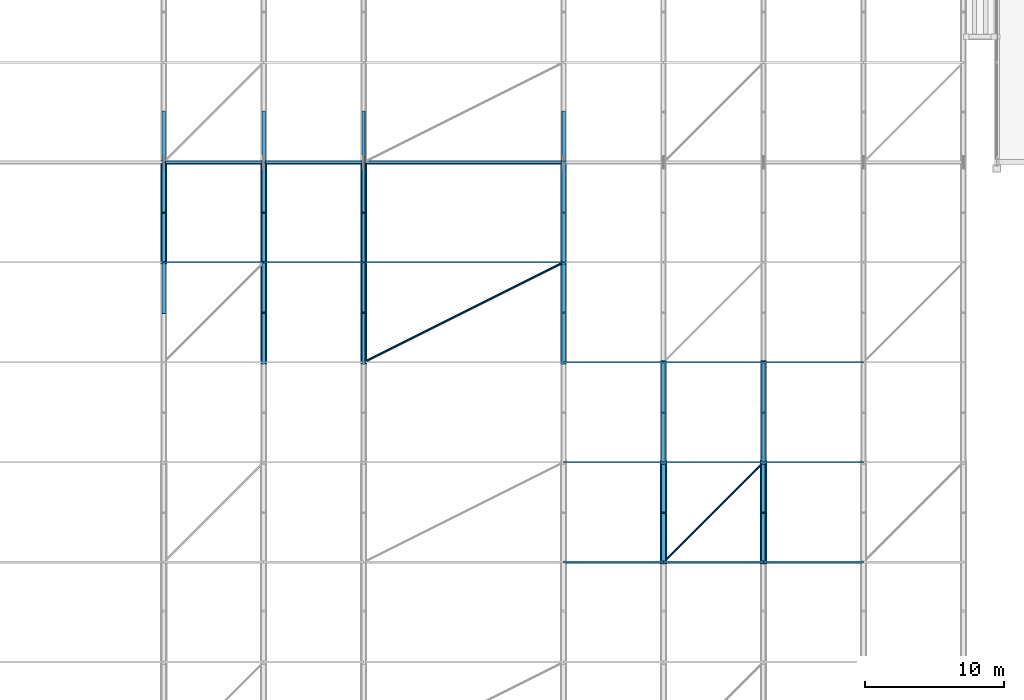
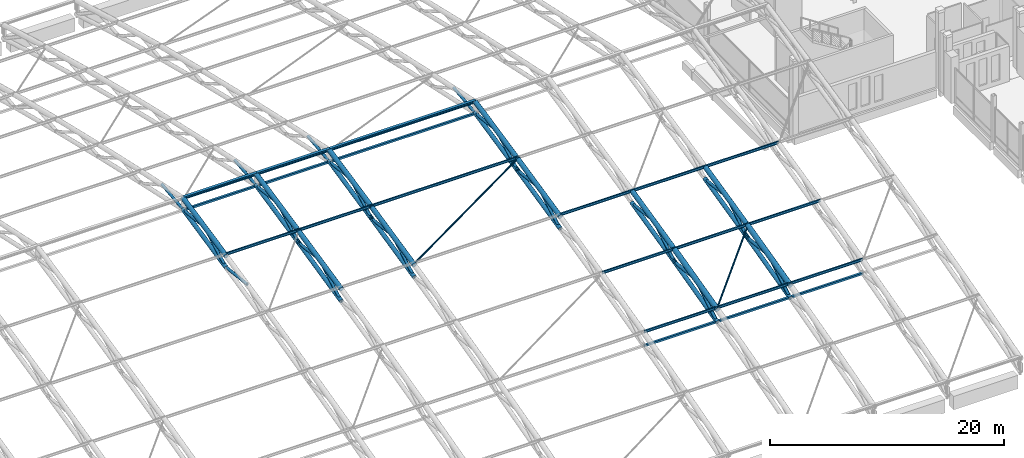
# One storey, part 46 of 193: 72 members.
"""IFC4 building model written with IfcOpenShell, lengths in metres."""

import ifcopenshell
import ifcopenshell.guid

model = None  # the IFC model being written
_history = None  # IfcOwnerHistory: only IFC2X3 demands one
_inside = {}  # id of a spatial element -> (the spatial element, [elements in it])
_under = {}  # id of a project, library or spatial element -> (it, [spatial elements below it])
_declared = {}  # id of a project -> (the project, [libraries it declares])
_typed = {}  # id of a type object -> (the type object, [elements of that type])
_made_of = {}  # id of a material, layer set ... -> (it, [elements and type objects made of it])


def new_model(schema):
    """Start an empty IFC model of exactly this schema.

    Asked for "IFC4X3", IfcOpenShell would pick the latest addendum, in which some entities
    have other attributes; the version numbers below select the first issue.
    IFC2X3 requires an IfcOwnerHistory on every rooted entity: one is made here for all.
    """
    global model, _history
    if schema == "IFC4X3":
        model = ifcopenshell.file(schema_version=(4, 3, 0, 0))
    else:
        model = ifcopenshell.file(schema=schema)
    _inside.clear()
    _under.clear()
    _declared.clear()
    _typed.clear()
    _made_of.clear()
    _history = None
    if model.schema == "IFC2X3":
        org = make("IfcOrganization", Name="unknown")
        user = make(
            "IfcPersonAndOrganization",
            ThePerson=make("IfcPerson", FamilyName="unknown"),
            TheOrganization=org,
        )
        app = make(
            "IfcApplication",
            ApplicationDeveloper=org,
            Version="unknown",
            ApplicationFullName="unknown",
            ApplicationIdentifier="unknown",
        )
        _history = make(
            "IfcOwnerHistory",
            OwningUser=user,
            OwningApplication=app,
            ChangeAction="ADDED",
            CreationDate=0,
        )
    return model


def make(cls, **values):
    """One entity of the class cls with the attributes given. An attribute that is None is left unset."""
    return model.create_entity(
        cls, **{name: value for name, value in values.items() if value is not None}
    )


def rooted(cls, **values):
    """An entity with a GlobalId (a new one), such as an element, a storey or a relation."""
    return make(cls, GlobalId=ifcopenshell.guid.new(), OwnerHistory=_history, **values)


def si_unit(unit_type, name, prefix=None):
    """IfcSIUnit, for example si_unit("LENGTHUNIT", "METRE", prefix="MILLI")."""
    return make("IfcSIUnit", UnitType=unit_type, Prefix=prefix, Name=name)


def assignment(units):
    """IfcUnitAssignment: the units of a project."""
    return None if units is None else make("IfcUnitAssignment", Units=units)


def point(xyz):
    """IfcCartesianPoint."""
    return None if xyz is None else make("IfcCartesianPoint", Coordinates=xyz)


def direction(xyz):
    """IfcDirection."""
    return None if xyz is None else make("IfcDirection", DirectionRatios=xyz)


def frame(location, z_axis=None, x_axis=None):
    """IfcAxis2Placement3D, a coordinate frame: its origin and axes. An axis left out is left unset."""
    return make(
        "IfcAxis2Placement3D",
        Location=point(location),
        Axis=direction(z_axis),
        RefDirection=direction(x_axis),
    )


def frame_2d(location, x_axis=None):
    """IfcAxis2Placement2D, a coordinate frame in the plane: its origin and x axis."""
    return make(
        "IfcAxis2Placement2D", Location=point(location), RefDirection=direction(x_axis)
    )


def origin():
    """The frame at (0, 0, 0) with its axes left unset."""
    return frame((0.0, 0.0, 0.0))


def origin_2d():
    """The frame at (0, 0) in the plane with its x axis left unset."""
    return frame_2d((0.0, 0.0))


def place(relative_to, where):
    """IfcLocalPlacement: puts the frame where relative to a parent placement (None: the world)."""
    return make(
        "IfcLocalPlacement", PlacementRelTo=relative_to, RelativePlacement=where
    )


def context(
    kind, dimensions, precision=None, world=None, true_north=None, identifier=None
):
    """IfcGeometricRepresentationContext, for example the 3D "Model" context."""
    return make(
        "IfcGeometricRepresentationContext",
        ContextIdentifier=identifier,
        ContextType=kind,
        CoordinateSpaceDimension=dimensions,
        Precision=precision,
        WorldCoordinateSystem=world,
        TrueNorth=true_north,
    )


def subcontext(parent, identifier, kind, view, scale=None):
    """IfcGeometricRepresentationSubContext, for example "Body" below "Model"."""
    return make(
        "IfcGeometricRepresentationSubContext",
        ContextIdentifier=identifier,
        ContextType=kind,
        ParentContext=parent,
        TargetScale=scale,
        TargetView=view,
    )


def project(units=None, contexts=None):
    """IfcProject with its units and contexts."""
    return rooted(
        "IfcProject",
        Name="project",
        RepresentationContexts=contexts,
        UnitsInContext=assignment(units),
    )


def spatial(cls, under=None, at=None, **own):
    """A site, building, storey or space (cls), placed at a placement, below another one or the project."""
    s = rooted(cls, ObjectPlacement=at, **own)
    if under is not None:
        _under.setdefault(under.id(), (under, []))[1].append(s)
    return s


def profile(cls, at=None, kind="AREA", **sizes):
    """A parametric profile (cls). Its sizes go by their IFC names, for example OverallWidth=200.0."""
    return make(cls, ProfileType=kind, Position=at, **sizes)


def hollow_rectangle(**sizes):
    """IfcRectangleHollowProfileDef."""
    return profile("IfcRectangleHollowProfileDef", **sizes)


def hollow_circle(**sizes):
    """IfcCircleHollowProfileDef."""
    return profile("IfcCircleHollowProfileDef", **sizes)


def i_section(**sizes):
    """IfcIShapeProfileDef."""
    return profile("IfcIShapeProfileDef", **sizes)


def extrude(swept, where, along, depth):
    """IfcExtrudedAreaSolid: the profile swept, set in the frame where, extruded along a direction by depth."""
    return make(
        "IfcExtrudedAreaSolid",
        SweptArea=swept,
        Position=where,
        ExtrudedDirection=direction(along),
        Depth=depth,
    )


def shape(context_of_items, identifier, shape_type, items):
    """IfcShapeRepresentation: the items that make up one representation, for example the "Body"."""
    return make(
        "IfcShapeRepresentation",
        ContextOfItems=context_of_items,
        RepresentationIdentifier=identifier,
        RepresentationType=shape_type,
        Items=items,
    )


def material(Name=None, Category=None):
    """IfcMaterial."""
    return make("IfcMaterial", Name=Name, Category=Category)


def material_profile(
    of_material, cross_section, Name=None, Category=None, Priority=None
):
    """IfcMaterialProfile: a cross section and its material."""
    return make(
        "IfcMaterialProfile",
        Name=Name,
        Material=of_material,
        Profile=cross_section,
        Priority=Priority,
        Category=Category,
    )


def profile_set(profiles, Name=None, composite=None):
    """IfcMaterialProfileSet."""
    return make(
        "IfcMaterialProfileSet",
        Name=Name,
        MaterialProfiles=profiles,
        CompositeProfile=composite,
    )


def made_of(thing, what):
    """Note that an element or type object is made of a material, layer set ...; save() writes the relation."""
    if what is not None:
        _made_of.setdefault(what.id(), (what, []))[1].append(thing)
    return thing


def type_object(cls, material=None, **own):
    """A type object (cls), such as IfcWallType, which elements share."""
    return made_of(rooted(cls, **own), material)


def element(
    cls,
    number,
    at=None,
    inside=None,
    cuts=None,
    type_object=None,
    material=None,
    context=None,
    identifier="Body",
    shape_type=None,
    held_by="IfcProductDefinitionShape",
    body=None,
    shapes=None,
    **own,
):
    """One element of the class cls, such as IfcWall. Its Tag is "e" and its number.

    at: its placement. inside: the storey or other place that contains it. cuts: it is an
    opening in that element (IfcRelVoidsElement). A single representation is given by context,
    identifier, shape_type and body (its items); several are given by shapes. held_by: the class
    of the entity that holds the representations. save() writes the other relations.
    """
    e = rooted(cls, Tag="e%d" % number, ObjectPlacement=at, **own)
    if body is not None:
        shapes = [shape(context, identifier, shape_type, body)]
    if shapes is not None:
        e.Representation = make(held_by, Representations=shapes)
    if inside is not None:
        _inside.setdefault(inside.id(), (inside, []))[1].append(e)
    if cuts is not None:
        rooted(
            "IfcRelVoidsElement", RelatingBuildingElement=cuts, RelatedOpeningElement=e
        )
    if type_object is not None:
        _typed.setdefault(type_object.id(), (type_object, []))[1].append(e)
    return made_of(e, material)


def aggregate(whole, parts):
    """IfcRelAggregates: a whole, such as a stair, and the parts it consists of."""
    return rooted("IfcRelAggregates", RelatingObject=whole, RelatedObjects=parts)


def save(model, path):
    """Write the relations noted so far, then the file.

    IfcRelAggregates (storeys below a building ...), IfcRelContainedInSpatialStructure (elements
    in a storey), IfcRelDefinesByType, IfcRelAssociatesMaterial and IfcRelDeclares: one each for
    every whole, place, type object, material and project.
    """
    for whole, parts in _under.values():
        aggregate(whole, parts)
    for where, things in _inside.values():
        rooted(
            "IfcRelContainedInSpatialStructure",
            RelatedElements=things,
            RelatingStructure=where,
        )
    for kind, things in _typed.values():
        rooted("IfcRelDefinesByType", RelatedObjects=things, RelatingType=kind)
    for what, things in _made_of.values():
        rooted("IfcRelAssociatesMaterial", RelatedObjects=things, RelatingMaterial=what)
    for by, libraries in _declared.values():
        rooted("IfcRelDeclares", RelatingContext=by, RelatedDefinitions=libraries)
    model.write(path)


model = new_model("IFC4")

# Units and contexts
model_context = context("Model", 3, precision=1e-05, world=origin(), true_north=direction((0.0, 1.0)))
body_context = subcontext(model_context, "Body", "Model", "MODEL_VIEW")
ifc_project = project(units=[si_unit("LENGTHUNIT", "METRE"), si_unit("AREAUNIT", "SQUARE_METRE"), si_unit("VOLUMEUNIT", "CUBIC_METRE"), si_unit("PLANEANGLEUNIT", "RADIAN"), si_unit("MASSUNIT", "GRAM", prefix="KILO")], contexts=[model_context])

# Site, building, storey
site_placement = place(None, origin())
site = spatial("IfcSite", under=ifc_project, at=site_placement, CompositionType="ELEMENT")
building_placement = place(site_placement, origin())
building = spatial("IfcBuilding", under=site, at=building_placement, Name="Cendralis Lancet Convention Centre", CompositionType="ELEMENT")
storey_placement = place(building_placement, frame((0.0, 0.0, 10.199951171875)))
storey = spatial("IfcBuildingStorey", under=building, at=storey_placement, Name="L02", CompositionType="ELEMENT", Elevation=10.199951171875)

# Members
ifc_material = material(Name="Steel S355", Category="steel")
ifc_material_profile_1 = material_profile(ifc_material, hollow_circle(Radius=0.084228515625, WallThickness=0.008056640625, at=origin_2d()), Name="CHS 168.3x8.0")
ifc_profile_set_1 = profile_set([ifc_material_profile_1], Name="Steel S355")
member_type_1 = type_object("IfcMemberType", Name="STR-BR-RB01", PredefinedType="BRACE", material=ifc_profile_set_1)
member_1_placement = place(storey_placement, frame((79.199951171875, 79.199951171875, 11.056884765625), z_axis=(0.890027979034, 0.445006444733, 0.099093191908), x_axis=(-0.447207529808, 0.89443022382, 0.0)))
element("IfcMember", 1, at=member_1_placement, inside=storey, type_object=member_type_1, Name="Roof Diaphragm Brace RB01 V1-09-04A", PredefinedType="BRACE", context=body_context, shape_type="SweptSolid", body=[
    extrude(hollow_circle(Radius=0.084228515625, WallThickness=0.008056640625, at=origin_2d()), origin(), (0.0, 0.0, 1.0), 16.179443359375),
])
member_2_placement = place(storey_placement, frame((100.800048828125, 64.800048828125, 7.576416015625), z_axis=(0.696392758522, 0.696392758522, 0.173419294652), x_axis=(-0.707106781187, 0.707106781187, 0.0)))
element("IfcMember", 2, at=member_2_placement, inside=storey, type_object=member_type_1, Name="Roof Diaphragm Brace RB01 V1-11-02A", PredefinedType="BRACE", context=body_context, shape_type="SweptSolid", body=[
    extrude(hollow_circle(Radius=0.084228515625, WallThickness=0.008056640625, at=origin_2d()), origin(), (0.0, 0.0, 1.0), 10.3388671875),
])
ifc_material_profile_2 = material_profile(ifc_material, hollow_rectangle(XDim=0.199951171875, YDim=0.199951171875, WallThickness=0.010009765625, at=origin_2d()), Name="SHS 200x200x10.0")
ifc_profile_set_2 = profile_set([ifc_material_profile_2], Name="Steel S355")
member_type_2 = type_object("IfcMemberType", Name="STR-BR-ST01", PredefinedType="STRUT", material=ifc_profile_set_2)
for number, where, z_axis, x_axis, name in (
    (3, (64.800048828125, 93.60009765625, 13.024169921875), (1.0, 0.0, 0.0), (0.0, 1.0, 0.0), "Arch Tie Strut ST01 V1-07-06"),
    (4, (72.0, 93.60009765625, 13.024169921875), (1.0, 0.0, 0.0), (0.0, 1.0, 0.0), "Arch Tie Strut ST01 V1-08-06"),
):
    element("IfcMember", number, at=place(storey_placement, frame(where, z_axis=z_axis, x_axis=x_axis)), inside=storey, type_object=member_type_2, Name=name, PredefinedType="STRUT", context=body_context, shape_type="SweptSolid", body=[
        extrude(hollow_rectangle(XDim=0.199951171875, YDim=0.199951171875, WallThickness=0.010009765625, at=origin_2d()), origin(), (0.0, 0.0, 1.0), 7.199951171875),
    ])
member_3_placement = place(storey_placement, frame((79.199951171875, 93.60009765625, 13.024169921875), z_axis=(1.0, 0.0, 0.0), x_axis=(0.0, 1.0, 0.0)))
element("IfcMember", 5, at=member_3_placement, inside=storey, type_object=member_type_2, Name="Arch Tie Strut ST01 V1-09-06", PredefinedType="STRUT", context=body_context, shape_type="SweptSolid", body=[
    extrude(hollow_rectangle(XDim=0.199951171875, YDim=0.199951171875, WallThickness=0.010009765625, at=origin_2d()), origin(), (0.0, 0.0, 1.0), 14.400146484375),
])
for number, where, z_axis, x_axis, name in (
    (6, (93.60009765625, 64.800048828125, 6.2509765625), (1.0, 0.0, 0.0), (0.0, 1.0, 0.0), "Arch Tie Strut ST01 V1-10-02"),
    (7, (100.800048828125, 64.800048828125, 6.2509765625), (1.0, 0.0, 0.0), (0.0, 1.0, 0.0), "Arch Tie Strut ST01 V1-11-02"),
    (8, (108.0, 64.800048828125, 6.2509765625), (1.0, 0.0, 0.0), (0.0, 1.0, 0.0), "Arch Tie Strut ST01 V1-12-02"),
):
    element("IfcMember", number, at=place(storey_placement, frame(where, z_axis=z_axis, x_axis=x_axis)), inside=storey, type_object=member_type_2, Name=name, PredefinedType="STRUT", context=body_context, shape_type="SweptSolid", body=[
        extrude(hollow_rectangle(XDim=0.199951171875, YDim=0.199951171875, WallThickness=0.010009765625, at=origin_2d()), origin(), (0.0, 0.0, 1.0), 7.199951171875),
    ])
ifc_material_profile_3 = material_profile(ifc_material, i_section(OverallWidth=0.135009765625, OverallDepth=0.27001953125, WebThickness=0.006591796875, FlangeThickness=0.01025390625, FilletRadius=0.014892578125, at=origin_2d()), Name="IPE 270")
ifc_profile_set_3 = profile_set([ifc_material_profile_3], Name="Steel S355")
member_type_3 = type_object("IfcMemberType", Name="STR-PR-PR01", PredefinedType="PURLIN", material=ifc_profile_set_3)
for number, where, z_axis, x_axis, name in (
    (9, (64.800048828125, 86.39990234375, 12.775146484375), (1.0, 0.0, 0.0), (0.0, 1.0, 0.0), "Vault Roof Purlin PR01 V1-07-05"),
    (10, (72.0, 86.39990234375, 12.775146484375), (1.0, 0.0, 0.0), (0.0, 1.0, 0.0), "Vault Roof Purlin PR01 V1-08-05"),
):
    element("IfcMember", number, at=place(storey_placement, frame(where, z_axis=z_axis, x_axis=x_axis)), inside=storey, type_object=member_type_3, Name=name, PredefinedType="PURLIN", context=body_context, shape_type="SweptSolid", body=[
        extrude(i_section(OverallWidth=0.135009765625, OverallDepth=0.27001953125, WebThickness=0.006591796875, FlangeThickness=0.01025390625, FilletRadius=0.014892578125, at=origin_2d()), origin(), (0.0, 0.0, 1.0), 7.199951171875),
    ])
member_4_placement = place(storey_placement, frame((79.199951171875, 86.39990234375, 12.775146484375), z_axis=(1.0, 0.0, 0.0), x_axis=(0.0, 1.0, 0.0)))
element("IfcMember", 11, at=member_4_placement, inside=storey, type_object=member_type_3, Name="Vault Roof Purlin PR01 V1-09-05", PredefinedType="PURLIN", context=body_context, shape_type="SweptSolid", body=[
    extrude(i_section(OverallWidth=0.135009765625, OverallDepth=0.27001953125, WebThickness=0.006591796875, FlangeThickness=0.01025390625, FilletRadius=0.014892578125, at=origin_2d()), origin(), (0.0, 0.0, 1.0), 14.400146484375),
])
for number, where, z_axis, x_axis, name in (
    (12, (93.60009765625, 64.800048828125, 7.69140625), (1.0, 0.0, 0.0), (0.0, 1.0, 0.0), "Vault Roof Purlin PR01 V1-10-02"),
    (13, (93.60009765625, 72.0, 9.484375), (1.0, 0.0, 0.0), (0.0, 1.0, 0.0), "Vault Roof Purlin PR01 V1-10-03"),
    (14, (93.60009765625, 79.199951171875, 11.171875), (1.0, 0.0, 0.0), (0.0, 1.0, 0.0), "Vault Roof Purlin PR01 V1-10-04"),
    (15, (100.800048828125, 64.800048828125, 7.69140625), (1.0, 0.0, 0.0), (0.0, 1.0, 0.0), "Vault Roof Purlin PR01 V1-11-02"),
    (16, (100.800048828125, 72.0, 9.484375), (1.0, 0.0, 0.0), (0.0, 1.0, 0.0), "Vault Roof Purlin PR01 V1-11-03"),
    (17, (100.800048828125, 79.199951171875, 11.171875), (1.0, 0.0, 0.0), (0.0, 1.0, 0.0), "Vault Roof Purlin PR01 V1-11-04"),
    (18, (108.0, 64.800048828125, 7.69140625), (1.0, 0.0, 0.0), (0.0, 1.0, 0.0), "Vault Roof Purlin PR01 V1-12-02"),
    (19, (108.0, 72.0, 9.484375), (1.0, 0.0, 0.0), (0.0, 1.0, 0.0), "Vault Roof Purlin PR01 V1-12-03"),
    (20, (108.0, 79.199951171875, 11.171875), (1.0, 0.0, 0.0), (0.0, 1.0, 0.0), "Vault Roof Purlin PR01 V1-12-04"),
):
    element("IfcMember", number, at=place(storey_placement, frame(where, z_axis=z_axis, x_axis=x_axis)), inside=storey, type_object=member_type_3, Name=name, PredefinedType="PURLIN", context=body_context, shape_type="SweptSolid", body=[
        extrude(i_section(OverallWidth=0.135009765625, OverallDepth=0.27001953125, WebThickness=0.006591796875, FlangeThickness=0.01025390625, FilletRadius=0.014892578125, at=origin_2d()), origin(), (0.0, 0.0, 1.0), 7.199951171875),
    ])
ifc_material_profile_4 = material_profile(ifc_material, i_section(OverallWidth=0.280029296875, OverallDepth=0.27001953125, WebThickness=0.008056640625, FlangeThickness=0.012939453125, FilletRadius=0.02392578125, at=origin_2d()), Name="HEA 280")
ifc_profile_set_4 = profile_set([ifc_material_profile_4], Name="Steel S355")
member_type_4 = type_object("IfcMemberType", Name="STR-PR-PR06", PredefinedType="PURLIN", material=ifc_profile_set_4)
for number, where, z_axis, x_axis, name in (
    (21, (64.800048828125, 93.60009765625, 14.31494140625), (1.0, 0.0, 0.0), (0.0, 1.0, 0.0), "Vault Roof Purlin PR06 V1-07-06"),
    (22, (72.0, 93.60009765625, 14.31494140625), (1.0, 0.0, 0.0), (0.0, 1.0, 0.0), "Vault Roof Purlin PR06 V1-08-06"),
):
    element("IfcMember", number, at=place(storey_placement, frame(where, z_axis=z_axis, x_axis=x_axis)), inside=storey, type_object=member_type_4, Name=name, PredefinedType="PURLIN", context=body_context, shape_type="SweptSolid", body=[
        extrude(i_section(OverallWidth=0.280029296875, OverallDepth=0.27001953125, WebThickness=0.008056640625, FlangeThickness=0.012939453125, FilletRadius=0.02392578125, at=origin_2d()), origin(), (0.0, 0.0, 1.0), 7.199951171875),
    ])
member_5_placement = place(storey_placement, frame((79.199951171875, 93.60009765625, 14.31494140625), z_axis=(1.0, 0.0, 0.0), x_axis=(0.0, 1.0, 0.0)))
element("IfcMember", 23, at=member_5_placement, inside=storey, type_object=member_type_4, Name="Vault Roof Purlin PR06 V1-09-06", PredefinedType="PURLIN", context=body_context, shape_type="SweptSolid", body=[
    extrude(i_section(OverallWidth=0.280029296875, OverallDepth=0.27001953125, WebThickness=0.008056640625, FlangeThickness=0.012939453125, FilletRadius=0.02392578125, at=origin_2d()), origin(), (0.0, 0.0, 1.0), 14.400146484375),
])
ifc_material_profile_5 = material_profile(ifc_material, hollow_circle(Radius=0.203125, WallThickness=0.01611328125, at=origin_2d()), Name="CHS 406.4x16.0")
ifc_profile_set_5 = profile_set([ifc_material_profile_5], Name="Steel S355")
member_type_5 = type_object("IfcMemberType", Name="STR-TR-BC01-INT", PredefinedType="CHORD", material=ifc_profile_set_5)
member_6_placement = place(storey_placement, frame((64.800048828125, 86.28271484375, 11.421142578125), z_axis=(0.0, 0.976835518251, 0.213991519186), x_axis=(-1.0, 0.0, 0.0)))
element("IfcMember", 24, at=member_6_placement, inside=storey, type_object=member_type_5, Name="ROOF TRUSS AT-V1-08 Bottom Chord 05", PredefinedType="CHORD", context=body_context, shape_type="SweptSolid", body=[
    extrude(hollow_circle(Radius=0.203125, WallThickness=0.01611328125, at=origin_2d()), origin(), (0.0, 0.0, 1.0), 7.61083984375),
])
member_7_placement = place(storey_placement, frame((72.0, 79.0830078125, 9.779541015625), z_axis=(0.0, 0.975004361287, 0.222185722922), x_axis=(-1.0, 0.0, 0.0)))
element("IfcMember", 25, at=member_7_placement, inside=storey, type_object=member_type_5, Name="ROOF TRUSS AT-V1-09 Bottom Chord 04", PredefinedType="CHORD", context=body_context, shape_type="SweptSolid", body=[
    extrude(hollow_circle(Radius=0.203125, WallThickness=0.01611328125, at=origin_2d()), origin(), (0.0, 0.0, 1.0), 7.624755859375),
])
member_8_placement = place(storey_placement, frame((72.0, 86.28271484375, 11.421142578125), z_axis=(0.0, 0.976835518251, 0.213991519186), x_axis=(-1.0, 0.0, 0.0)))
element("IfcMember", 26, at=member_8_placement, inside=storey, type_object=member_type_5, Name="ROOF TRUSS AT-V1-09 Bottom Chord 05", PredefinedType="CHORD", context=body_context, shape_type="SweptSolid", body=[
    extrude(hollow_circle(Radius=0.203125, WallThickness=0.01611328125, at=origin_2d()), origin(), (0.0, 0.0, 1.0), 7.61083984375),
])
member_9_placement = place(storey_placement, frame((79.199951171875, 79.0830078125, 9.779541015625), z_axis=(0.0, 0.975004361287, 0.222185722922), x_axis=(-1.0, 0.0, 0.0)))
element("IfcMember", 27, at=member_9_placement, inside=storey, type_object=member_type_5, Name="ROOF TRUSS AT-V1-10 Bottom Chord 04", PredefinedType="CHORD", context=body_context, shape_type="SweptSolid", body=[
    extrude(hollow_circle(Radius=0.203125, WallThickness=0.01611328125, at=origin_2d()), origin(), (0.0, 0.0, 1.0), 7.624755859375),
])
member_10_placement = place(storey_placement, frame((79.199951171875, 86.28271484375, 11.421142578125), z_axis=(0.0, 0.976835518251, 0.213991519186), x_axis=(-1.0, 0.0, 0.0)))
element("IfcMember", 28, at=member_10_placement, inside=storey, type_object=member_type_5, Name="ROOF TRUSS AT-V1-10 Bottom Chord 05", PredefinedType="CHORD", context=body_context, shape_type="SweptSolid", body=[
    extrude(hollow_circle(Radius=0.203125, WallThickness=0.01611328125, at=origin_2d()), origin(), (0.0, 0.0, 1.0), 7.61083984375),
])
member_11_placement = place(storey_placement, frame((93.60009765625, 79.0830078125, 9.779541015625), z_axis=(0.0, 0.975004361287, 0.222185722922), x_axis=(-1.0, 0.0, 0.0)))
element("IfcMember", 29, at=member_11_placement, inside=storey, type_object=member_type_5, Name="ROOF TRUSS AT-V1-11 Bottom Chord 04", PredefinedType="CHORD", context=body_context, shape_type="SweptSolid", body=[
    extrude(hollow_circle(Radius=0.203125, WallThickness=0.01611328125, at=origin_2d()), origin(), (0.0, 0.0, 1.0), 7.624755859375),
])
member_12_placement = place(storey_placement, frame((93.60009765625, 86.28271484375, 11.421142578125), z_axis=(0.0, 0.976835518251, 0.213991519186), x_axis=(-1.0, 0.0, 0.0)))
element("IfcMember", 30, at=member_12_placement, inside=storey, type_object=member_type_5, Name="ROOF TRUSS AT-V1-11 Bottom Chord 05", PredefinedType="CHORD", context=body_context, shape_type="SweptSolid", body=[
    extrude(hollow_circle(Radius=0.203125, WallThickness=0.01611328125, at=origin_2d()), origin(), (0.0, 0.0, 1.0), 7.61083984375),
])
member_13_placement = place(storey_placement, frame((100.800048828125, 64.68359375, 6.221435546875), z_axis=(0.0, 0.969168531094, 0.246398779092), x_axis=(-1.0, 0.0, 0.0)))
element("IfcMember", 31, at=member_13_placement, inside=storey, type_object=member_type_5, Name="ROOF TRUSS AT-V1-12 Bottom Chord 02", PredefinedType="CHORD", context=body_context, shape_type="SweptSolid", body=[
    extrude(hollow_circle(Radius=0.203125, WallThickness=0.01611328125, at=origin_2d()), origin(), (0.0, 0.0, 1.0), 7.6689453125),
])
member_14_placement = place(storey_placement, frame((100.800048828125, 71.88330078125, 8.053466796875), z_axis=(0.0, 0.97248347478, 0.232971868002), x_axis=(-1.0, 0.0, 0.0)))
element("IfcMember", 32, at=member_14_placement, inside=storey, type_object=member_type_5, Name="ROOF TRUSS AT-V1-12 Bottom Chord 03", PredefinedType="CHORD", context=body_context, shape_type="SweptSolid", body=[
    extrude(hollow_circle(Radius=0.203125, WallThickness=0.01611328125, at=origin_2d()), origin(), (0.0, 0.0, 1.0), 7.643798828125),
])
member_15_placement = place(storey_placement, frame((108.0, 64.68359375, 6.221435546875), z_axis=(0.0, 0.969168531094, 0.246398779092), x_axis=(-1.0, 0.0, 0.0)))
element("IfcMember", 33, at=member_15_placement, inside=storey, type_object=member_type_5, Name="ROOF TRUSS AT-V1-13 Bottom Chord 02", PredefinedType="CHORD", context=body_context, shape_type="SweptSolid", body=[
    extrude(hollow_circle(Radius=0.203125, WallThickness=0.01611328125, at=origin_2d()), origin(), (0.0, 0.0, 1.0), 7.6689453125),
])
member_16_placement = place(storey_placement, frame((108.0, 71.88330078125, 8.053466796875), z_axis=(0.0, 0.97248347478, 0.232971868002), x_axis=(-1.0, 0.0, 0.0)))
element("IfcMember", 34, at=member_16_placement, inside=storey, type_object=member_type_5, Name="ROOF TRUSS AT-V1-13 Bottom Chord 03", PredefinedType="CHORD", context=body_context, shape_type="SweptSolid", body=[
    extrude(hollow_circle(Radius=0.203125, WallThickness=0.01611328125, at=origin_2d()), origin(), (0.0, 0.0, 1.0), 7.643798828125),
])
ifc_material_profile_6 = material_profile(ifc_material, hollow_circle(Radius=0.25390625, WallThickness=0.02001953125, at=origin_2d()), Name="CHS 508.0x20.0")
ifc_profile_set_6 = profile_set([ifc_material_profile_6], Name="Steel S355")
member_type_6 = type_object("IfcMemberType", Name="STR-TR-TC01-INT", PredefinedType="CHORD", material=ifc_profile_set_6)
for number, where, z_axis, x_axis, name in (
    (35, (100.800048828125, 64.68359375, 7.54736328125), (0.0, 0.97036146187, 0.241658091769), (-1.0, 0.0, 0.0), "ROOF TRUSS AT-V1-12 Top Chord 02"),
    (36, (108.0, 64.68359375, 7.54736328125), (0.0, 0.97036146187, 0.241658091769), (-1.0, 0.0, 0.0), "ROOF TRUSS AT-V1-13 Top Chord 02"),
):
    element("IfcMember", number, at=place(storey_placement, frame(where, z_axis=z_axis, x_axis=x_axis)), inside=storey, type_object=member_type_6, Name=name, PredefinedType="CHORD", context=body_context, shape_type="SweptSolid", body=[
        extrude(hollow_circle(Radius=0.25390625, WallThickness=0.02001953125, at=origin_2d()), origin(), (0.0, 0.0, 1.0), 7.659912109375),
    ])
ifc_material_profile_7 = material_profile(ifc_material, hollow_circle(Radius=0.228515625, WallThickness=0.02001953125, at=origin_2d()), Name="CHS 457.0x20.0")
ifc_profile_set_7 = profile_set([ifc_material_profile_7], Name="Steel S355")
member_type_7 = type_object("IfcMemberType", Name="STR-TR-TC01B-INT", PredefinedType="CHORD", material=ifc_profile_set_7)
member_17_placement = place(storey_placement, frame((64.800048828125, 86.28271484375, 12.635009765625), z_axis=(0.0, 0.97788410853, 0.209147484528), x_axis=(-1.0, 0.0, 0.0)))
element("IfcMember", 37, at=member_17_placement, inside=storey, type_object=member_type_7, Name="ROOF TRUSS AT-V1-08 Top Chord 05", PredefinedType="CHORD", context=body_context, shape_type="SweptSolid", body=[
    extrude(hollow_circle(Radius=0.228515625, WallThickness=0.02001953125, at=origin_2d()), origin(), (0.0, 0.0, 1.0), 7.602783203125),
])
member_18_placement = place(storey_placement, frame((72.0, 79.0830078125, 11.03076171875), z_axis=(0.0, 0.976089664154, 0.217368276277), x_axis=(-1.0, 0.0, 0.0)))
element("IfcMember", 38, at=member_18_placement, inside=storey, type_object=member_type_7, Name="ROOF TRUSS AT-V1-09 Top Chord 04", PredefinedType="CHORD", context=body_context, shape_type="SweptSolid", body=[
    extrude(hollow_circle(Radius=0.228515625, WallThickness=0.02001953125, at=origin_2d()), origin(), (0.0, 0.0, 1.0), 7.6162109375),
])
member_19_placement = place(storey_placement, frame((72.0, 86.28271484375, 12.635009765625), z_axis=(0.0, 0.97788410853, 0.209147484528), x_axis=(-1.0, 0.0, 0.0)))
element("IfcMember", 39, at=member_19_placement, inside=storey, type_object=member_type_7, Name="ROOF TRUSS AT-V1-09 Top Chord 05", PredefinedType="CHORD", context=body_context, shape_type="SweptSolid", body=[
    extrude(hollow_circle(Radius=0.228515625, WallThickness=0.02001953125, at=origin_2d()), origin(), (0.0, 0.0, 1.0), 7.602783203125),
])
member_20_placement = place(storey_placement, frame((79.199951171875, 79.0830078125, 11.03076171875), z_axis=(0.0, 0.976089664154, 0.217368276277), x_axis=(-1.0, 0.0, 0.0)))
element("IfcMember", 40, at=member_20_placement, inside=storey, type_object=member_type_7, Name="ROOF TRUSS AT-V1-10 Top Chord 04", PredefinedType="CHORD", context=body_context, shape_type="SweptSolid", body=[
    extrude(hollow_circle(Radius=0.228515625, WallThickness=0.02001953125, at=origin_2d()), origin(), (0.0, 0.0, 1.0), 7.6162109375),
])
member_21_placement = place(storey_placement, frame((79.199951171875, 86.28271484375, 12.635009765625), z_axis=(0.0, 0.97788410853, 0.209147484528), x_axis=(-1.0, 0.0, 0.0)))
element("IfcMember", 41, at=member_21_placement, inside=storey, type_object=member_type_7, Name="ROOF TRUSS AT-V1-10 Top Chord 05", PredefinedType="CHORD", context=body_context, shape_type="SweptSolid", body=[
    extrude(hollow_circle(Radius=0.228515625, WallThickness=0.02001953125, at=origin_2d()), origin(), (0.0, 0.0, 1.0), 7.602783203125),
])
member_22_placement = place(storey_placement, frame((93.60009765625, 79.0830078125, 11.03076171875), z_axis=(0.0, 0.976089664154, 0.217368276277), x_axis=(-1.0, 0.0, 0.0)))
element("IfcMember", 42, at=member_22_placement, inside=storey, type_object=member_type_7, Name="ROOF TRUSS AT-V1-11 Top Chord 04", PredefinedType="CHORD", context=body_context, shape_type="SweptSolid", body=[
    extrude(hollow_circle(Radius=0.228515625, WallThickness=0.02001953125, at=origin_2d()), origin(), (0.0, 0.0, 1.0), 7.6162109375),
])
member_23_placement = place(storey_placement, frame((93.60009765625, 86.28271484375, 12.635009765625), z_axis=(0.0, 0.97788410853, 0.209147484528), x_axis=(-1.0, 0.0, 0.0)))
element("IfcMember", 43, at=member_23_placement, inside=storey, type_object=member_type_7, Name="ROOF TRUSS AT-V1-11 Top Chord 05", PredefinedType="CHORD", context=body_context, shape_type="SweptSolid", body=[
    extrude(hollow_circle(Radius=0.228515625, WallThickness=0.02001953125, at=origin_2d()), origin(), (0.0, 0.0, 1.0), 7.602783203125),
])
for number, where, z_axis, x_axis, name in (
    (44, (100.800048828125, 71.88330078125, 9.342041015625), (0.0, 0.973618086595, 0.22818374494), (-1.0, 0.0, 0.0), "ROOF TRUSS AT-V1-12 Top Chord 03"),
    (45, (108.0, 71.88330078125, 9.342041015625), (0.0, 0.973618086595, 0.22818374494), (-1.0, 0.0, 0.0), "ROOF TRUSS AT-V1-13 Top Chord 03"),
):
    element("IfcMember", number, at=place(storey_placement, frame(where, z_axis=z_axis, x_axis=x_axis)), inside=storey, type_object=member_type_7, Name=name, PredefinedType="CHORD", context=body_context, shape_type="SweptSolid", body=[
        extrude(hollow_circle(Radius=0.228515625, WallThickness=0.02001953125, at=origin_2d()), origin(), (0.0, 0.0, 1.0), 7.635009765625),
    ])
ifc_material_profile_8 = material_profile(ifc_material, hollow_circle(Radius=0.149169921875, WallThickness=0.012451171875, at=origin_2d()), Name="CHS 298.5x12.5")
ifc_profile_set_8 = profile_set([ifc_material_profile_8], Name="Steel S355")
member_type_8 = type_object("IfcMemberType", Name="STR-TR-WD01-INT", PredefinedType="BRACE", material=ifc_profile_set_8)
member_24_placement = place(storey_placement, frame((100.800048828125, 64.71484375, 6.198486328125), z_axis=(0.0, 0.850978373815, 0.525200730482), x_axis=(-1.0, 0.0, 0.0)))
element("IfcMember", 46, at=member_24_placement, inside=storey, type_object=member_type_8, Name="ROOF TRUSS AT-V1-12 Warren Web 02-0", PredefinedType="BRACE", context=body_context, shape_type="SweptSolid", body=[
    extrude(hollow_circle(Radius=0.149169921875, WallThickness=0.012451171875, at=origin_2d()), origin(), (0.0, 0.0, 1.0), 4.430419921875),
])
member_25_placement = place(storey_placement, frame((100.800048828125, 68.300537109375, 8.483642578125), z_axis=(0.0, 0.994139687453, -0.108103107402), x_axis=(-1.0, 0.0, 0.0)))
element("IfcMember", 47, at=member_25_placement, inside=storey, type_object=member_type_8, Name="ROOF TRUSS AT-V1-12 Warren Web 02-1", PredefinedType="BRACE", context=body_context, shape_type="SweptSolid", body=[
    extrude(hollow_circle(Radius=0.149169921875, WallThickness=0.012451171875, at=origin_2d()), origin(), (0.0, 0.0, 1.0), 3.8212890625),
])
member_26_placement = place(storey_placement, frame((108.0, 64.71484375, 6.198486328125), z_axis=(0.0, 0.850978373815, 0.525200730482), x_axis=(-1.0, 0.0, 0.0)))
element("IfcMember", 48, at=member_26_placement, inside=storey, type_object=member_type_8, Name="ROOF TRUSS AT-V1-13 Warren Web 02-0", PredefinedType="BRACE", context=body_context, shape_type="SweptSolid", body=[
    extrude(hollow_circle(Radius=0.149169921875, WallThickness=0.012451171875, at=origin_2d()), origin(), (0.0, 0.0, 1.0), 4.430419921875),
])
member_27_placement = place(storey_placement, frame((108.0, 68.300537109375, 8.483642578125), z_axis=(0.0, 0.994139687453, -0.108103107402), x_axis=(-1.0, 0.0, 0.0)))
element("IfcMember", 49, at=member_27_placement, inside=storey, type_object=member_type_8, Name="ROOF TRUSS AT-V1-13 Warren Web 02-1", PredefinedType="BRACE", context=body_context, shape_type="SweptSolid", body=[
    extrude(hollow_circle(Radius=0.149169921875, WallThickness=0.012451171875, at=origin_2d()), origin(), (0.0, 0.0, 1.0), 3.8212890625),
])
ifc_material_profile_9 = material_profile(ifc_material, hollow_circle(Radius=0.136474609375, WallThickness=0.012451171875, at=origin_2d()), Name="CHS 273.0x12.5")
ifc_profile_set_9 = profile_set([ifc_material_profile_9], Name="Steel S355")
member_type_9 = type_object("IfcMemberType", Name="STR-TR-WD01B-INT", PredefinedType="BRACE", material=ifc_profile_set_9)
member_28_placement = place(storey_placement, frame((64.800048828125, 82.70068359375, 11.869873046875), z_axis=(0.0, 0.993527526481, -0.113591611157), x_axis=(-1.0, 0.0, 0.0)))
element("IfcMember", 50, at=member_28_placement, inside=storey, type_object=member_type_9, Name="ROOF TRUSS AT-V1-08 Warren Web 04-1", PredefinedType="BRACE", context=body_context, shape_type="SweptSolid", body=[
    extrude(hollow_circle(Radius=0.136474609375, WallThickness=0.012451171875, at=origin_2d()), origin(), (0.0, 0.0, 1.0), 3.823486328125),
])
member_29_placement = place(storey_placement, frame((64.800048828125, 86.3125, 11.3984375), z_axis=(0.0, 0.875872457449, 0.48254268027), x_axis=(-1.0, 0.0, 0.0)))
element("IfcMember", 51, at=member_29_placement, inside=storey, type_object=member_type_9, Name="ROOF TRUSS AT-V1-08 Warren Web 05-0", PredefinedType="BRACE", context=body_context, shape_type="SweptSolid", body=[
    extrude(hollow_circle(Radius=0.136474609375, WallThickness=0.012451171875, at=origin_2d()), origin(), (0.0, 0.0, 1.0), 4.31005859375),
])
for number, where, z_axis, x_axis, name in (
    (52, (64.800048828125, 89.900634765625, 13.441162109375), (0.0, 0.993706459911, -0.112015496831), (-1.0, 0.0, 0.0), "ROOF TRUSS AT-V1-08 Warren Web 05-1"),
    (53, (64.800048828125, 93.50048828125, 13.012939453125), (0.0, 0.993706459911, 0.112015496831), (-1.0, 0.0, 0.0), "ROOF TRUSS AT-V1-08 Warren Web 06-0"),
):
    element("IfcMember", number, at=place(storey_placement, frame(where, z_axis=z_axis, x_axis=x_axis)), inside=storey, type_object=member_type_9, Name=name, PredefinedType="BRACE", context=body_context, shape_type="SweptSolid", body=[
        extrude(hollow_circle(Radius=0.136474609375, WallThickness=0.012451171875, at=origin_2d()), origin(), (0.0, 0.0, 1.0), 3.822998046875),
    ])
member_30_placement = place(storey_placement, frame((72.0, 79.113037109375, 9.7568359375), z_axis=(0.0, 0.86877872096, 0.495200498795), x_axis=(-1.0, 0.0, 0.0)))
element("IfcMember", 54, at=member_30_placement, inside=storey, type_object=member_type_9, Name="ROOF TRUSS AT-V1-09 Warren Web 04-0", PredefinedType="BRACE", context=body_context, shape_type="SweptSolid", body=[
    extrude(hollow_circle(Radius=0.136474609375, WallThickness=0.012451171875, at=origin_2d()), origin(), (0.0, 0.0, 1.0), 4.343994140625),
])
member_31_placement = place(storey_placement, frame((72.0, 82.70068359375, 11.869873046875), z_axis=(0.0, 0.993527526481, -0.113591611157), x_axis=(-1.0, 0.0, 0.0)))
element("IfcMember", 55, at=member_31_placement, inside=storey, type_object=member_type_9, Name="ROOF TRUSS AT-V1-09 Warren Web 04-1", PredefinedType="BRACE", context=body_context, shape_type="SweptSolid", body=[
    extrude(hollow_circle(Radius=0.136474609375, WallThickness=0.012451171875, at=origin_2d()), origin(), (0.0, 0.0, 1.0), 3.823486328125),
])
member_32_placement = place(storey_placement, frame((72.0, 86.3125, 11.3984375), z_axis=(0.0, 0.875872457449, 0.48254268027), x_axis=(-1.0, 0.0, 0.0)))
element("IfcMember", 56, at=member_32_placement, inside=storey, type_object=member_type_9, Name="ROOF TRUSS AT-V1-09 Warren Web 05-0", PredefinedType="BRACE", context=body_context, shape_type="SweptSolid", body=[
    extrude(hollow_circle(Radius=0.136474609375, WallThickness=0.012451171875, at=origin_2d()), origin(), (0.0, 0.0, 1.0), 4.31005859375),
])
for number, where, z_axis, x_axis, name in (
    (57, (72.0, 89.900634765625, 13.441162109375), (0.0, 0.993706459911, -0.112015496831), (-1.0, 0.0, 0.0), "ROOF TRUSS AT-V1-09 Warren Web 05-1"),
    (58, (72.0, 93.50048828125, 13.012939453125), (0.0, 0.993706459911, 0.112015496831), (-1.0, 0.0, 0.0), "ROOF TRUSS AT-V1-09 Warren Web 06-0"),
):
    element("IfcMember", number, at=place(storey_placement, frame(where, z_axis=z_axis, x_axis=x_axis)), inside=storey, type_object=member_type_9, Name=name, PredefinedType="BRACE", context=body_context, shape_type="SweptSolid", body=[
        extrude(hollow_circle(Radius=0.136474609375, WallThickness=0.012451171875, at=origin_2d()), origin(), (0.0, 0.0, 1.0), 3.822998046875),
    ])
member_33_placement = place(storey_placement, frame((79.199951171875, 79.113037109375, 9.7568359375), z_axis=(0.0, 0.86877872096, 0.495200498795), x_axis=(-1.0, 0.0, 0.0)))
element("IfcMember", 59, at=member_33_placement, inside=storey, type_object=member_type_9, Name="ROOF TRUSS AT-V1-10 Warren Web 04-0", PredefinedType="BRACE", context=body_context, shape_type="SweptSolid", body=[
    extrude(hollow_circle(Radius=0.136474609375, WallThickness=0.012451171875, at=origin_2d()), origin(), (0.0, 0.0, 1.0), 4.343994140625),
])
member_34_placement = place(storey_placement, frame((79.199951171875, 82.70068359375, 11.869873046875), z_axis=(0.0, 0.993527526481, -0.113591611157), x_axis=(-1.0, 0.0, 0.0)))
element("IfcMember", 60, at=member_34_placement, inside=storey, type_object=member_type_9, Name="ROOF TRUSS AT-V1-10 Warren Web 04-1", PredefinedType="BRACE", context=body_context, shape_type="SweptSolid", body=[
    extrude(hollow_circle(Radius=0.136474609375, WallThickness=0.012451171875, at=origin_2d()), origin(), (0.0, 0.0, 1.0), 3.823486328125),
])
member_35_placement = place(storey_placement, frame((79.199951171875, 86.3125, 11.3984375), z_axis=(0.0, 0.875872457449, 0.48254268027), x_axis=(-1.0, 0.0, 0.0)))
element("IfcMember", 61, at=member_35_placement, inside=storey, type_object=member_type_9, Name="ROOF TRUSS AT-V1-10 Warren Web 05-0", PredefinedType="BRACE", context=body_context, shape_type="SweptSolid", body=[
    extrude(hollow_circle(Radius=0.136474609375, WallThickness=0.012451171875, at=origin_2d()), origin(), (0.0, 0.0, 1.0), 4.31005859375),
])
for number, where, z_axis, x_axis, name in (
    (62, (79.199951171875, 89.900634765625, 13.441162109375), (0.0, 0.993706459911, -0.112015496831), (-1.0, 0.0, 0.0), "ROOF TRUSS AT-V1-10 Warren Web 05-1"),
    (63, (79.199951171875, 93.50048828125, 13.012939453125), (0.0, 0.993706459911, 0.112015496831), (-1.0, 0.0, 0.0), "ROOF TRUSS AT-V1-10 Warren Web 06-0"),
):
    element("IfcMember", number, at=place(storey_placement, frame(where, z_axis=z_axis, x_axis=x_axis)), inside=storey, type_object=member_type_9, Name=name, PredefinedType="BRACE", context=body_context, shape_type="SweptSolid", body=[
        extrude(hollow_circle(Radius=0.136474609375, WallThickness=0.012451171875, at=origin_2d()), origin(), (0.0, 0.0, 1.0), 3.822998046875),
    ])
member_36_placement = place(storey_placement, frame((93.60009765625, 79.113037109375, 9.7568359375), z_axis=(0.0, 0.86877872096, 0.495200498795), x_axis=(-1.0, 0.0, 0.0)))
element("IfcMember", 64, at=member_36_placement, inside=storey, type_object=member_type_9, Name="ROOF TRUSS AT-V1-11 Warren Web 04-0", PredefinedType="BRACE", context=body_context, shape_type="SweptSolid", body=[
    extrude(hollow_circle(Radius=0.136474609375, WallThickness=0.012451171875, at=origin_2d()), origin(), (0.0, 0.0, 1.0), 4.343994140625),
])
member_37_placement = place(storey_placement, frame((93.60009765625, 82.70068359375, 11.869873046875), z_axis=(0.0, 0.993527526481, -0.113591611157), x_axis=(-1.0, 0.0, 0.0)))
element("IfcMember", 65, at=member_37_placement, inside=storey, type_object=member_type_9, Name="ROOF TRUSS AT-V1-11 Warren Web 04-1", PredefinedType="BRACE", context=body_context, shape_type="SweptSolid", body=[
    extrude(hollow_circle(Radius=0.136474609375, WallThickness=0.012451171875, at=origin_2d()), origin(), (0.0, 0.0, 1.0), 3.823486328125),
])
member_38_placement = place(storey_placement, frame((93.60009765625, 86.3125, 11.3984375), z_axis=(0.0, 0.875872457449, 0.48254268027), x_axis=(-1.0, 0.0, 0.0)))
element("IfcMember", 66, at=member_38_placement, inside=storey, type_object=member_type_9, Name="ROOF TRUSS AT-V1-11 Warren Web 05-0", PredefinedType="BRACE", context=body_context, shape_type="SweptSolid", body=[
    extrude(hollow_circle(Radius=0.136474609375, WallThickness=0.012451171875, at=origin_2d()), origin(), (0.0, 0.0, 1.0), 4.31005859375),
])
for number, where, z_axis, x_axis, name in (
    (67, (93.60009765625, 89.900634765625, 13.441162109375), (0.0, 0.993706459911, -0.112015496831), (-1.0, 0.0, 0.0), "ROOF TRUSS AT-V1-11 Warren Web 05-1"),
    (68, (93.60009765625, 93.50048828125, 13.012939453125), (0.0, 0.993706459911, 0.112015496831), (-1.0, 0.0, 0.0), "ROOF TRUSS AT-V1-11 Warren Web 06-0"),
):
    element("IfcMember", number, at=place(storey_placement, frame(where, z_axis=z_axis, x_axis=x_axis)), inside=storey, type_object=member_type_9, Name=name, PredefinedType="BRACE", context=body_context, shape_type="SweptSolid", body=[
        extrude(hollow_circle(Radius=0.136474609375, WallThickness=0.012451171875, at=origin_2d()), origin(), (0.0, 0.0, 1.0), 3.822998046875),
    ])
member_39_placement = place(storey_placement, frame((100.800048828125, 71.9140625, 8.030517578125), z_axis=(0.0, 0.860451614668, 0.509532156802), x_axis=(-1.0, 0.0, 0.0)))
element("IfcMember", 69, at=member_39_placement, inside=storey, type_object=member_type_9, Name="ROOF TRUSS AT-V1-12 Warren Web 03-0", PredefinedType="BRACE", context=body_context, shape_type="SweptSolid", body=[
    extrude(hollow_circle(Radius=0.136474609375, WallThickness=0.012451171875, at=origin_2d()), origin(), (0.0, 0.0, 1.0), 4.3837890625),
])
member_40_placement = place(storey_placement, frame((100.800048828125, 75.50048828125, 10.224365234375), z_axis=(0.0, 0.993677994269, -0.112267732257), x_axis=(-1.0, 0.0, 0.0)))
element("IfcMember", 70, at=member_40_placement, inside=storey, type_object=member_type_9, Name="ROOF TRUSS AT-V1-12 Warren Web 03-1", PredefinedType="BRACE", context=body_context, shape_type="SweptSolid", body=[
    extrude(hollow_circle(Radius=0.136474609375, WallThickness=0.012451171875, at=origin_2d()), origin(), (0.0, 0.0, 1.0), 3.822998046875),
])
member_41_placement = place(storey_placement, frame((108.0, 71.9140625, 8.030517578125), z_axis=(0.0, 0.860451614668, 0.509532156802), x_axis=(-1.0, 0.0, 0.0)))
element("IfcMember", 71, at=member_41_placement, inside=storey, type_object=member_type_9, Name="ROOF TRUSS AT-V1-13 Warren Web 03-0", PredefinedType="BRACE", context=body_context, shape_type="SweptSolid", body=[
    extrude(hollow_circle(Radius=0.136474609375, WallThickness=0.012451171875, at=origin_2d()), origin(), (0.0, 0.0, 1.0), 4.3837890625),
])
member_42_placement = place(storey_placement, frame((108.0, 75.50048828125, 10.224365234375), z_axis=(0.0, 0.993677994269, -0.112267732257), x_axis=(-1.0, 0.0, 0.0)))
element("IfcMember", 72, at=member_42_placement, inside=storey, type_object=member_type_9, Name="ROOF TRUSS AT-V1-13 Warren Web 03-1", PredefinedType="BRACE", context=body_context, shape_type="SweptSolid", body=[
    extrude(hollow_circle(Radius=0.136474609375, WallThickness=0.012451171875, at=origin_2d()), origin(), (0.0, 0.0, 1.0), 3.822998046875),
])

save(model, "model.ifc")
